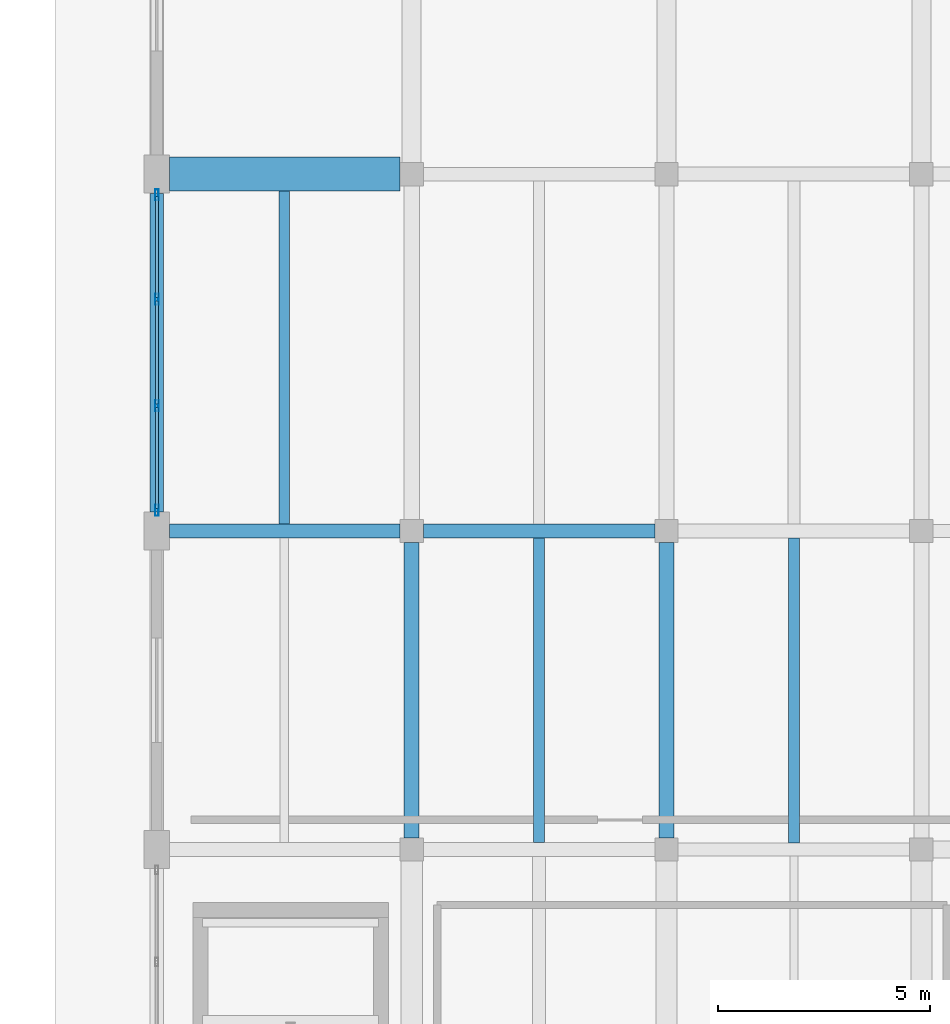
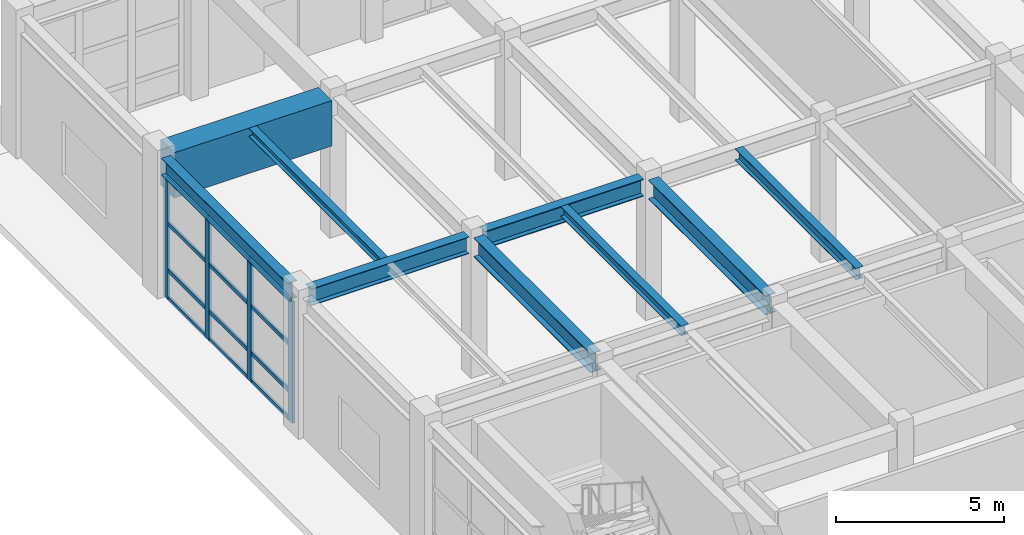
# One storey, part 32 of 91: 16 members, 9 beams, 1 element without a shape of its own.
"""IFC4 building model written with IfcOpenShell, lengths in metres."""

from ifc_helpers import new_model, si_unit, direction, frame, origin, origin_2d, place, context, subcontext, project, spatial, rectangle, hollow_rectangle, i_section, extrude, material, layer, layer_set, material_profile, profile_set, type_object, element, aggregate, save


model = new_model("IFC4")

# Units and contexts
model_context = context("Model", 3, precision=1e-05, world=origin(), true_north=direction((0.0, 1.0)))
body_context = subcontext(model_context, "Body", "Model", "MODEL_VIEW")
ifc_project = project(units=[si_unit("LENGTHUNIT", "METRE"), si_unit("AREAUNIT", "SQUARE_METRE"), si_unit("VOLUMEUNIT", "CUBIC_METRE"), si_unit("PLANEANGLEUNIT", "RADIAN"), si_unit("MASSUNIT", "GRAM", prefix="KILO")], contexts=[model_context])

# Site, building, storey
site_placement = place(None, origin())
site = spatial("IfcSite", under=ifc_project, at=site_placement, CompositionType="ELEMENT")
building_placement = place(site_placement, origin())
building = spatial("IfcBuilding", under=site, at=building_placement, Name="Vaelkrest Opera House", CompositionType="ELEMENT")
storey_placement = place(building_placement, origin())
storey = spatial("IfcBuildingStorey", under=building, at=storey_placement, Name="L00", CompositionType="ELEMENT", Elevation=0.0)

# Beams
ifc_material_1 = material(Name="Concrete C50/60", Category="concrete")
ifc_material_profile_1 = material_profile(ifc_material_1, rectangle(XDim=0.800048828125, YDim=1.64990234375, at=origin_2d()), Name="RCB800X1650")
ifc_profile_set_1 = profile_set([ifc_material_profile_1], Name="Concrete C50/60")
beam_type_1 = type_object("IfcBeamType", Name="B07", PredefinedType="BEAM", material=ifc_profile_set_1)
beam_1_placement = place(storey_placement, frame((-75.300048828125, 33.60009765625, 4.2548828125), z_axis=(1.0, 0.0, 0.0), x_axis=(0.0, 1.0, 0.0)))
element("IfcBeam", 1, at=beam_1_placement, inside=storey, type_object=beam_type_1, Name="Beam BM-V3-L00-1416", PredefinedType="BEAM", context=body_context, shape_type="SweptSolid", body=[
    extrude(rectangle(XDim=0.800048828125, YDim=1.64990234375, at=origin_2d()), origin(), (0.0, 0.0, 1.0), 5.425048828125),
])
ifc_material_2 = material(Name="Steel A992 Gr50", Category="steel")
ifc_material_profile_2 = material_profile(ifc_material_2, i_section(OverallWidth=0.323974609375, OverallDepth=0.611083984375, WebThickness=0.0126953125, FlangeThickness=0.01904296875, at=origin_2d()), Name="W24X104")
ifc_profile_set_2 = profile_set([ifc_material_profile_2], Name="Steel A992 Gr50")
beam_type_2 = type_object("IfcBeamType", Name="B08", PredefinedType="BEAM", material=ifc_profile_set_2)
beam_2_placement = place(storey_placement, frame((-75.300048828125, 25.199951171875, 4.7744140625), z_axis=(1.0, 0.0, 0.0), x_axis=(0.0, 1.0, 0.0)))
element("IfcBeam", 2, at=beam_2_placement, inside=storey, type_object=beam_type_2, Name="Beam BM-V3-L00-1409", PredefinedType="BEAM", context=body_context, shape_type="SweptSolid", body=[
    extrude(i_section(OverallWidth=0.323974609375, OverallDepth=0.611083984375, WebThickness=0.0126953125, FlangeThickness=0.01904296875, at=origin_2d()), origin(), (0.0, 0.0, 1.0), 5.425048828125),
])
ifc_material_profile_3 = material_profile(ifc_material_2, i_section(OverallWidth=0.327880859375, OverallDepth=0.6279296875, WebThickness=0.0166015625, FlangeThickness=0.027587890625, at=origin_2d()), Name="W24X146")
ifc_profile_set_3 = profile_set([ifc_material_profile_3], Name="Steel A992 Gr50")
beam_type_3 = type_object("IfcBeamType", Name="B09", PredefinedType="BEAM", material=ifc_profile_set_3)
beam_3_placement = place(storey_placement, frame((-69.324951171875, 25.199951171875, 4.76611328125), z_axis=(1.0, 0.0, 0.0), x_axis=(0.0, 1.0, 0.0)))
element("IfcBeam", 3, at=beam_3_placement, inside=storey, type_object=beam_type_3, Name="Beam BM-V3-L00-1410", PredefinedType="BEAM", context=body_context, shape_type="SweptSolid", body=[
    extrude(i_section(OverallWidth=0.327880859375, OverallDepth=0.6279296875, WebThickness=0.0166015625, FlangeThickness=0.027587890625, at=origin_2d()), origin(), (0.0, 0.0, 1.0), 5.449951171875),
])
ifc_material_profile_4 = material_profile(ifc_material_2, i_section(OverallWidth=0.35498046875, OverallDepth=0.695068359375, WebThickness=0.015380859375, FlangeThickness=0.02490234375, at=origin_2d()), Name="W27X146")
ifc_profile_set_4 = profile_set([ifc_material_profile_4], Name="Steel A992 Gr50")
beam_type_4 = type_object("IfcBeamType", Name="B10", PredefinedType="BEAM", material=ifc_profile_set_4)
for number, where, z_axis, x_axis, name in (
    (4, (-69.60009765625, 17.97509765625, 4.732421875), (0.0, 1.0, 0.0), (-1.0, 0.0, 0.0), "Beam BM-V3-L00-1441"),
    (5, (-63.60009765625, 17.97509765625, 4.732421875), (0.0, 1.0, 0.0), (-1.0, 0.0, 0.0), "Beam BM-V3-L00-1445"),
):
    element("IfcBeam", number, at=place(storey_placement, frame(where, z_axis=z_axis, x_axis=x_axis)), inside=storey, type_object=beam_type_4, Name=name, PredefinedType="BEAM", context=body_context, shape_type="SweptSolid", body=[
        extrude(i_section(OverallWidth=0.35498046875, OverallDepth=0.695068359375, WebThickness=0.015380859375, FlangeThickness=0.02490234375, at=origin_2d()), origin(), (0.0, 0.0, 1.0), 6.949951171875),
    ])

# Curtain wall, members
ifc_material_3 = material(Name="Dark bronze anodized aluminium", Category="aluminium")
ifc_layer = layer(ifc_material_3, 0.25)
ifc_layer_set = layer_set([ifc_layer], Name="Dark bronze anodized aluminium")
curtain_wall_type = type_object("IfcCurtainWallType", Name="CW08", PredefinedType="NOTDEFINED", material=ifc_layer_set)
curtain_wall_placement = place(storey_placement, origin())
curtain_wall = element("IfcCurtainWall", 6, at=curtain_wall_placement, inside=storey, type_object=curtain_wall_type, Name="Curtain wall CW-L00-091", PredefinedType="NOTDEFINED")
ifc_material_profile_5 = material_profile(ifc_material_3, hollow_rectangle(XDim=0.080078125, YDim=0.260009765625, WallThickness=0.0048828125, at=origin_2d()), Name="CWM80X260")
ifc_profile_set_5 = profile_set([ifc_material_profile_5], Name="Dark bronze anodized aluminium")
member_type_1 = type_object("IfcMemberType", Name="CWM04", PredefinedType="MULLION", material=ifc_profile_set_5)
member_1_placement = place(storey_placement, frame((-75.60009765625, 25.68798828125, 0.0), z_axis=(0.0, 0.0, 1.0), x_axis=(-1.0, 0.0, 0.0)))
member_1 = element("IfcMember", 7, at=member_1_placement, type_object=member_type_1, Name="CW08 mullion 1", PredefinedType="MULLION", context=body_context, shape_type="SweptSolid", body=[
    extrude(hollow_rectangle(XDim=0.080078125, YDim=0.260009765625, WallThickness=0.0048828125, at=origin_2d()), origin(), (0.0, 0.0, 1.0), 4.404052734375),
])
member_2_placement = place(storey_placement, frame((-75.60009765625, 28.1494140625, 0.0), z_axis=(0.0, 0.0, 1.0), x_axis=(-1.0, 0.0, 0.0)))
member_2 = element("IfcMember", 8, at=member_2_placement, type_object=member_type_1, Name="CW08 mullion 2", PredefinedType="MULLION", context=body_context, shape_type="SweptSolid", body=[
    extrude(hollow_rectangle(XDim=0.080078125, YDim=0.260009765625, WallThickness=0.0048828125, at=origin_2d()), origin(), (0.0, 0.0, 1.0), 4.404052734375),
])
member_3_placement = place(storey_placement, frame((-75.60009765625, 30.650634765625, 0.0), z_axis=(0.0, 0.0, 1.0), x_axis=(-1.0, 0.0, 0.0)))
member_3 = element("IfcMember", 9, at=member_3_placement, type_object=member_type_1, Name="CW08 mullion 3", PredefinedType="MULLION", context=body_context, shape_type="SweptSolid", body=[
    extrude(hollow_rectangle(XDim=0.080078125, YDim=0.260009765625, WallThickness=0.0048828125, at=origin_2d()), origin(), (0.0, 0.0, 1.0), 4.404052734375),
])
member_4_placement = place(storey_placement, frame((-75.60009765625, 33.112060546875, 0.0), z_axis=(0.0, 0.0, 1.0), x_axis=(-1.0, 0.0, 0.0)))
member_4 = element("IfcMember", 10, at=member_4_placement, type_object=member_type_1, Name="CW08 mullion 4", PredefinedType="MULLION", context=body_context, shape_type="SweptSolid", body=[
    extrude(hollow_rectangle(XDim=0.080078125, YDim=0.260009765625, WallThickness=0.0048828125, at=origin_2d()), origin(), (0.0, 0.0, 1.0), 4.404052734375),
])
ifc_material_profile_6 = material_profile(ifc_material_3, hollow_rectangle(XDim=0.070068359375, YDim=0.14990234375, WallThickness=0.004150390625, at=origin_2d()), Name="CWT70X150")
ifc_profile_set_6 = profile_set([ifc_material_profile_6], Name="Dark bronze anodized aluminium")
member_type_2 = type_object("IfcMemberType", Name="CWT02", PredefinedType="USERDEFINED", material=ifc_profile_set_6)
member_5_placement = place(storey_placement, frame((-75.60009765625, 25.72802734375, 0.034912109375), z_axis=(0.0, 1.0, 0.0), x_axis=(-1.0, 0.0, 0.0)))
member_5 = element("IfcMember", 11, at=member_5_placement, type_object=member_type_2, Name="CW08 transom 1.1", ObjectType="TRANSOM", PredefinedType="USERDEFINED", context=body_context, shape_type="SweptSolid", body=[
    extrude(hollow_rectangle(XDim=0.070068359375, YDim=0.14990234375, WallThickness=0.004150390625, at=origin_2d()), origin(), (0.0, 0.0, 1.0), 2.38134765625),
])
member_6_placement = place(storey_placement, frame((-75.60009765625, 25.72802734375, 1.050048828125), z_axis=(0.0, 1.0, 0.0), x_axis=(-1.0, 0.0, 0.0)))
member_6 = element("IfcMember", 12, at=member_6_placement, type_object=member_type_2, Name="CW08 transom 1.2", ObjectType="TRANSOM", PredefinedType="USERDEFINED", context=body_context, shape_type="SweptSolid", body=[
    extrude(hollow_rectangle(XDim=0.070068359375, YDim=0.14990234375, WallThickness=0.004150390625, at=origin_2d()), origin(), (0.0, 0.0, 1.0), 2.38134765625),
])
member_7_placement = place(storey_placement, frame((-75.60009765625, 25.72802734375, 2.75), z_axis=(0.0, 1.0, 0.0), x_axis=(-1.0, 0.0, 0.0)))
member_7 = element("IfcMember", 13, at=member_7_placement, type_object=member_type_2, Name="CW08 transom 1.3", ObjectType="TRANSOM", PredefinedType="USERDEFINED", context=body_context, shape_type="SweptSolid", body=[
    extrude(hollow_rectangle(XDim=0.070068359375, YDim=0.14990234375, WallThickness=0.004150390625, at=origin_2d()), origin(), (0.0, 0.0, 1.0), 2.38134765625),
])
member_8_placement = place(storey_placement, frame((-75.60009765625, 25.72802734375, 4.368896484375), z_axis=(0.0, 1.0, 0.0), x_axis=(-1.0, 0.0, 0.0)))
member_8 = element("IfcMember", 14, at=member_8_placement, type_object=member_type_2, Name="CW08 transom 1.4", ObjectType="TRANSOM", PredefinedType="USERDEFINED", context=body_context, shape_type="SweptSolid", body=[
    extrude(hollow_rectangle(XDim=0.070068359375, YDim=0.14990234375, WallThickness=0.004150390625, at=origin_2d()), origin(), (0.0, 0.0, 1.0), 2.38134765625),
])
member_9_placement = place(storey_placement, frame((-75.60009765625, 28.189453125, 0.034912109375), z_axis=(0.0, 1.0, 0.0), x_axis=(-1.0, 0.0, 0.0)))
member_9 = element("IfcMember", 15, at=member_9_placement, type_object=member_type_2, Name="CW08 transom 2.1", ObjectType="TRANSOM", PredefinedType="USERDEFINED", context=body_context, shape_type="SweptSolid", body=[
    extrude(hollow_rectangle(XDim=0.070068359375, YDim=0.14990234375, WallThickness=0.004150390625, at=origin_2d()), origin(), (0.0, 0.0, 1.0), 2.421142578125),
])
member_10_placement = place(storey_placement, frame((-75.60009765625, 28.189453125, 1.050048828125), z_axis=(0.0, 1.0, 0.0), x_axis=(-1.0, 0.0, 0.0)))
member_10 = element("IfcMember", 16, at=member_10_placement, type_object=member_type_2, Name="CW08 transom 2.2", ObjectType="TRANSOM", PredefinedType="USERDEFINED", context=body_context, shape_type="SweptSolid", body=[
    extrude(hollow_rectangle(XDim=0.070068359375, YDim=0.14990234375, WallThickness=0.004150390625, at=origin_2d()), origin(), (0.0, 0.0, 1.0), 2.421142578125),
])
member_11_placement = place(storey_placement, frame((-75.60009765625, 28.189453125, 2.75), z_axis=(0.0, 1.0, 0.0), x_axis=(-1.0, 0.0, 0.0)))
member_11 = element("IfcMember", 17, at=member_11_placement, type_object=member_type_2, Name="CW08 transom 2.3", ObjectType="TRANSOM", PredefinedType="USERDEFINED", context=body_context, shape_type="SweptSolid", body=[
    extrude(hollow_rectangle(XDim=0.070068359375, YDim=0.14990234375, WallThickness=0.004150390625, at=origin_2d()), origin(), (0.0, 0.0, 1.0), 2.421142578125),
])
member_12_placement = place(storey_placement, frame((-75.60009765625, 28.189453125, 4.368896484375), z_axis=(0.0, 1.0, 0.0), x_axis=(-1.0, 0.0, 0.0)))
member_12 = element("IfcMember", 18, at=member_12_placement, type_object=member_type_2, Name="CW08 transom 2.4", ObjectType="TRANSOM", PredefinedType="USERDEFINED", context=body_context, shape_type="SweptSolid", body=[
    extrude(hollow_rectangle(XDim=0.070068359375, YDim=0.14990234375, WallThickness=0.004150390625, at=origin_2d()), origin(), (0.0, 0.0, 1.0), 2.421142578125),
])
member_13_placement = place(storey_placement, frame((-75.60009765625, 30.690673828125, 0.034912109375), z_axis=(0.0, 1.0, 0.0), x_axis=(-1.0, 0.0, 0.0)))
member_13 = element("IfcMember", 19, at=member_13_placement, type_object=member_type_2, Name="CW08 transom 3.1", ObjectType="TRANSOM", PredefinedType="USERDEFINED", context=body_context, shape_type="SweptSolid", body=[
    extrude(hollow_rectangle(XDim=0.070068359375, YDim=0.14990234375, WallThickness=0.004150390625, at=origin_2d()), origin(), (0.0, 0.0, 1.0), 2.38134765625),
])
member_14_placement = place(storey_placement, frame((-75.60009765625, 30.690673828125, 1.050048828125), z_axis=(0.0, 1.0, 0.0), x_axis=(-1.0, 0.0, 0.0)))
member_14 = element("IfcMember", 20, at=member_14_placement, type_object=member_type_2, Name="CW08 transom 3.2", ObjectType="TRANSOM", PredefinedType="USERDEFINED", context=body_context, shape_type="SweptSolid", body=[
    extrude(hollow_rectangle(XDim=0.070068359375, YDim=0.14990234375, WallThickness=0.004150390625, at=origin_2d()), origin(), (0.0, 0.0, 1.0), 2.38134765625),
])
member_15_placement = place(storey_placement, frame((-75.60009765625, 30.690673828125, 2.75), z_axis=(0.0, 1.0, 0.0), x_axis=(-1.0, 0.0, 0.0)))
member_15 = element("IfcMember", 21, at=member_15_placement, type_object=member_type_2, Name="CW08 transom 3.3", ObjectType="TRANSOM", PredefinedType="USERDEFINED", context=body_context, shape_type="SweptSolid", body=[
    extrude(hollow_rectangle(XDim=0.070068359375, YDim=0.14990234375, WallThickness=0.004150390625, at=origin_2d()), origin(), (0.0, 0.0, 1.0), 2.38134765625),
])
member_16_placement = place(storey_placement, frame((-75.60009765625, 30.690673828125, 4.368896484375), z_axis=(0.0, 1.0, 0.0), x_axis=(-1.0, 0.0, 0.0)))
member_16 = element("IfcMember", 22, at=member_16_placement, type_object=member_type_2, Name="CW08 transom 3.4", ObjectType="TRANSOM", PredefinedType="USERDEFINED", context=body_context, shape_type="SweptSolid", body=[
    extrude(hollow_rectangle(XDim=0.070068359375, YDim=0.14990234375, WallThickness=0.004150390625, at=origin_2d()), origin(), (0.0, 0.0, 1.0), 2.38134765625),
])
aggregate(curtain_wall, [member_1, member_2, member_3, member_4, member_5, member_6, member_7, member_8, member_9, member_10, member_11, member_12, member_13, member_14, member_15, member_16])

# Beams
ifc_material_profile_7 = material_profile(ifc_material_2, i_section(OverallWidth=0.25390625, OverallDepth=0.305908203125, WebThickness=0.0087890625, FlangeThickness=0.0146484375, at=origin_2d()), Name="W12X53")
ifc_profile_set_7 = profile_set([ifc_material_profile_7], Name="Steel A992 Gr50")
beam_type_5 = type_object("IfcBeamType", Name="J03", PredefinedType="JOIST", material=ifc_profile_set_7)
beam_4_placement = place(storey_placement, frame((-72.60009765625, 25.362060546875, 4.927001953125), z_axis=(0.0, 1.0, 0.0), x_axis=(-1.0, 0.0, 0.0)))
element("IfcBeam", 23, at=beam_4_placement, inside=storey, type_object=beam_type_5, Name="Floor joist JST-V3-L00-1483", PredefinedType="JOIST", context=body_context, shape_type="SweptSolid", body=[
    extrude(i_section(OverallWidth=0.25390625, OverallDepth=0.305908203125, WebThickness=0.0087890625, FlangeThickness=0.0146484375, at=origin_2d()), origin(), (0.0, 0.0, 1.0), 7.837890625),
])
ifc_material_profile_8 = material_profile(ifc_material_2, i_section(OverallWidth=0.2548828125, OverallDepth=0.35693359375, WebThickness=0.010498046875, FlangeThickness=0.018310546875, at=origin_2d()), Name="W14X68")
ifc_profile_set_8 = profile_set([ifc_material_profile_8], Name="Steel A992 Gr50")
beam_type_6 = type_object("IfcBeamType", Name="J05", PredefinedType="JOIST", material=ifc_profile_set_8)
beam_5_placement = place(storey_placement, frame((-66.60009765625, 17.863525390625, 4.901611328125), z_axis=(0.0, 1.0, 0.0), x_axis=(-1.0, 0.0, 0.0)))
element("IfcBeam", 24, at=beam_5_placement, inside=storey, type_object=beam_type_6, Name="Floor joist JST-V3-L00-1485", PredefinedType="JOIST", context=body_context, shape_type="SweptSolid", body=[
    extrude(i_section(OverallWidth=0.2548828125, OverallDepth=0.35693359375, WebThickness=0.010498046875, FlangeThickness=0.018310546875, at=origin_2d()), origin(), (0.0, 0.0, 1.0), 7.17236328125),
])
ifc_material_profile_9 = material_profile(ifc_material_2, i_section(OverallWidth=0.261962890625, OverallDepth=0.4189453125, WebThickness=0.01171875, FlangeThickness=0.019287109375, at=origin_2d()), Name="W16X77")
ifc_profile_set_9 = profile_set([ifc_material_profile_9], Name="Steel A992 Gr50")
beam_type_7 = type_object("IfcBeamType", Name="J08", PredefinedType="JOIST", material=ifc_profile_set_9)
beam_6_placement = place(storey_placement, frame((-60.60009765625, 17.857421875, 4.87060546875), z_axis=(0.0, 1.0, 0.0), x_axis=(-1.0, 0.0, 0.0)))
element("IfcBeam", 25, at=beam_6_placement, inside=storey, type_object=beam_type_7, Name="Floor joist JST-V3-L00-1488", PredefinedType="JOIST", context=body_context, shape_type="SweptSolid", body=[
    extrude(i_section(OverallWidth=0.261962890625, OverallDepth=0.4189453125, WebThickness=0.01171875, FlangeThickness=0.019287109375, at=origin_2d()), origin(), (0.0, 0.0, 1.0), 7.17919921875),
])
ifc_material_profile_10 = material_profile(ifc_material_2, i_section(OverallWidth=0.323974609375, OverallDepth=0.611083984375, WebThickness=0.0126953125, FlangeThickness=0.01904296875, at=origin_2d()), Name="W24X104")
ifc_profile_set_10 = profile_set([ifc_material_profile_10], Name="Steel A992 Gr50")
beam_type_8 = type_object("IfcBeamType", Name="SP01", PredefinedType="SPANDREL", material=ifc_profile_set_10)
beam_7_placement = place(storey_placement, frame((-75.60009765625, 25.64990234375, 4.7744140625), z_axis=(0.0, 1.0, 0.0), x_axis=(-1.0, 0.0, 0.0)))
element("IfcBeam", 26, at=beam_7_placement, inside=storey, type_object=beam_type_8, Name="Beam BM-V3-L00-1435", PredefinedType="SPANDREL", context=body_context, shape_type="SweptSolid", body=[
    extrude(i_section(OverallWidth=0.323974609375, OverallDepth=0.611083984375, WebThickness=0.0126953125, FlangeThickness=0.01904296875, at=origin_2d()), origin(), (0.0, 0.0, 1.0), 7.5),
])

save(model, "model.ifc")
